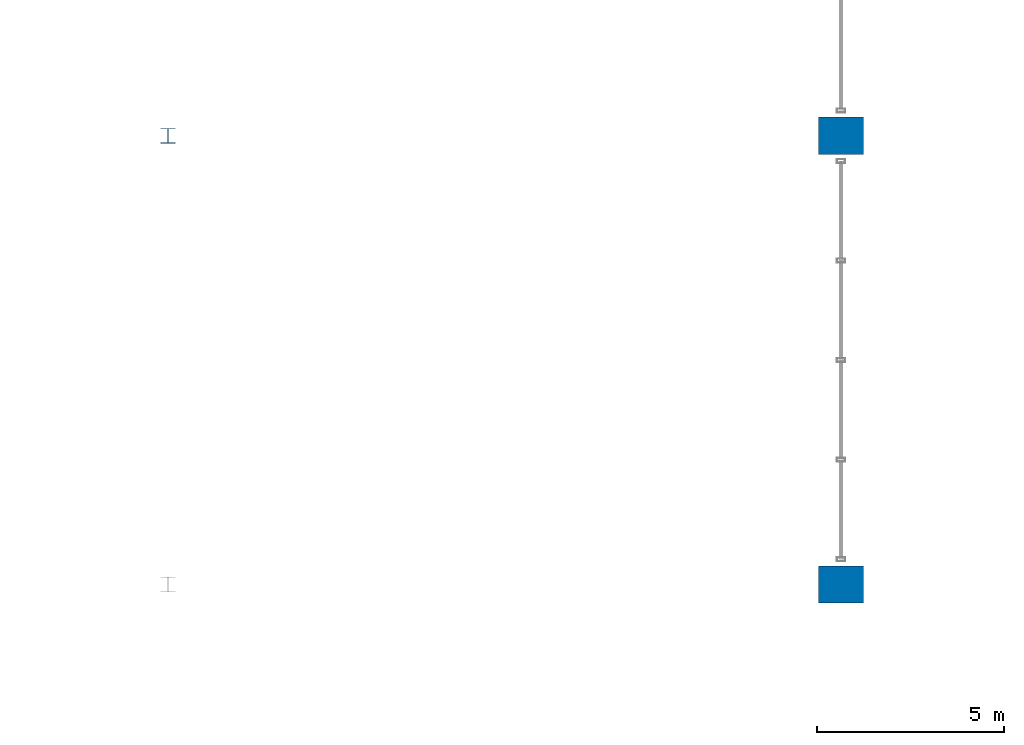
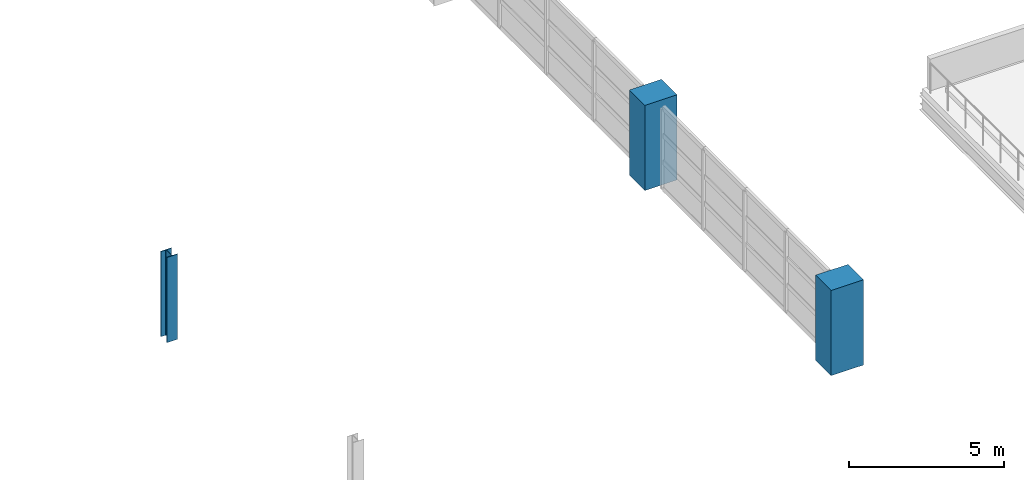
# One storey, part 4 of 116: 3 columns.
"""IFC4 building model written with IfcOpenShell, lengths in metres."""

from ifc_helpers import new_model, si_unit, direction, frame, origin, origin_2d, place, context, subcontext, project, spatial, rectangle, i_section, extrude, material, material_profile, profile_set, type_object, element, save


model = new_model("IFC4")

# Units and contexts
model_context = context("Model", 3, precision=1e-05, world=origin(), true_north=direction((0.0, 1.0)))
body_context = subcontext(model_context, "Body", "Model", "MODEL_VIEW")
ifc_project = project(units=[si_unit("LENGTHUNIT", "METRE"), si_unit("AREAUNIT", "SQUARE_METRE"), si_unit("VOLUMEUNIT", "CUBIC_METRE"), si_unit("PLANEANGLEUNIT", "RADIAN"), si_unit("MASSUNIT", "GRAM", prefix="KILO")], contexts=[model_context])

# Site, building, storey
site_placement = place(None, origin())
site = spatial("IfcSite", under=ifc_project, at=site_placement, CompositionType="ELEMENT")
building_placement = place(site_placement, origin())
building = spatial("IfcBuilding", under=site, at=building_placement, Name="Chuanluo Vaults Station", CompositionType="ELEMENT")
storey_placement = place(building_placement, frame((0.0, 0.0, 10.800048828125)))
storey = spatial("IfcBuildingStorey", under=building, at=storey_placement, Name="L02", CompositionType="ELEMENT", Elevation=10.800048828125)

# Columns
ifc_material_1 = material(Name="Concrete C50", Category="concrete")
ifc_material_profile_1 = material_profile(ifc_material_1, rectangle(XDim=1.199951171875, YDim=1.0, at=origin_2d()))
ifc_profile_set_1 = profile_set([ifc_material_profile_1], Name="Concrete C50")
column_type_1 = type_object("IfcColumnType", Name="COL-SRC-1200x1000", PredefinedType="COLUMN", material=ifc_profile_set_1)
for number, where, z_axis, x_axis, name in (
    (1, (126.0, 42.0, 0.0), (0.0, 0.0, 1.0), (1.0, 0.0, 0.0), "Column L02-075"),
    (2, (126.0, 54.0, 0.0), (0.0, 0.0, 1.0), (1.0, 0.0, 0.0), "Column L02-076"),
):
    element("IfcColumn", number, at=place(storey_placement, frame(where, z_axis=z_axis, x_axis=x_axis)), inside=storey, type_object=column_type_1, Name=name, PredefinedType="COLUMN", context=body_context, shape_type="SweptSolid", body=[
        extrude(rectangle(XDim=1.199951171875, YDim=1.0, at=origin_2d()), origin(), (0.0, 0.0, 1.0), 3.349853515625),
    ])
ifc_material_2 = material(Name="Steel Q355C", Category="steel")
ifc_material_profile_2 = material_profile(ifc_material_2, i_section(OverallWidth=0.39990234375, OverallDepth=0.407958984375, WebThickness=0.02099609375, FlangeThickness=0.02099609375, FilletRadius=0.02197265625, at=origin_2d()))
ifc_profile_set_2 = profile_set([ifc_material_profile_2], Name="Steel Q355C")
column_type_2 = type_object("IfcColumnType", Name="COL-STL-HW408", PredefinedType="COLUMN", material=ifc_profile_set_2)
column_placement = place(storey_placement, frame((108.0, 54.0, 0.0), z_axis=(0.0, 0.0, 1.0), x_axis=(1.0, 0.0, 0.0)))
element("IfcColumn", 3, at=column_placement, inside=storey, type_object=column_type_2, Name="Column L02-065", PredefinedType="COLUMN", context=body_context, shape_type="SweptSolid", body=[
    extrude(i_section(OverallWidth=0.39990234375, OverallDepth=0.407958984375, WebThickness=0.02099609375, FlangeThickness=0.02099609375, FilletRadius=0.02197265625, at=origin_2d()), origin(), (0.0, 0.0, 1.0), 3.349853515625),
])

save(model, "model.ifc")
